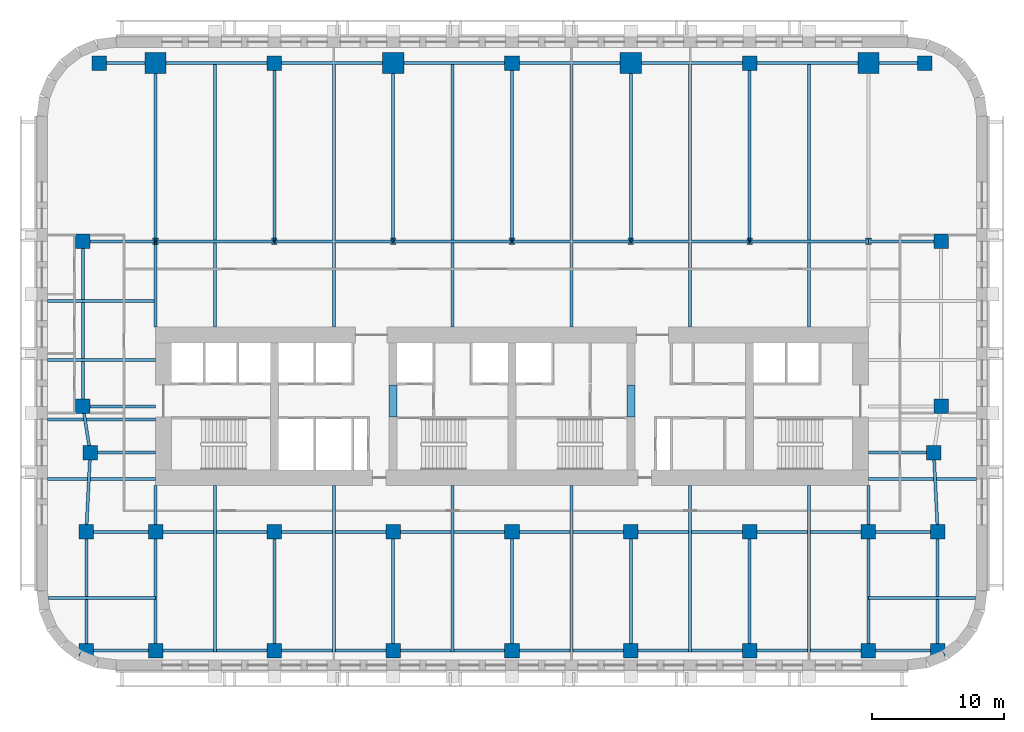
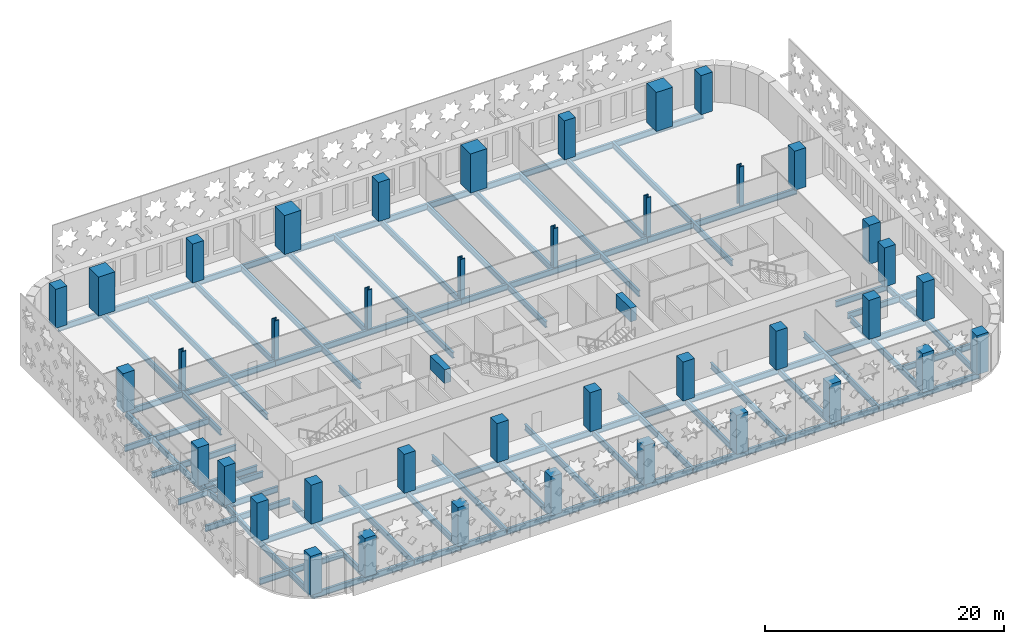
# One storey, part 1 of 14: 60 beams, 40 columns.
"""IFC4 building model written with IfcOpenShell, lengths in metres."""

from ifc_helpers import new_model, si_unit, direction, frame, origin, origin_2d, place, context, subcontext, project, spatial, rectangle, i_section, extrude, material, material_profile, profile_set, type_object, element, save


model = new_model("IFC4")

# Units and contexts
model_context = context("Model", 3, precision=1e-05, world=origin(), true_north=direction((0.0, 1.0)))
body_context = subcontext(model_context, "Body", "Model", "MODEL_VIEW")
ifc_project = project(units=[si_unit("LENGTHUNIT", "METRE"), si_unit("AREAUNIT", "SQUARE_METRE"), si_unit("VOLUMEUNIT", "CUBIC_METRE"), si_unit("PLANEANGLEUNIT", "RADIAN"), si_unit("MASSUNIT", "GRAM", prefix="KILO")], contexts=[model_context])

# Site, building, storey
site_placement = place(None, origin())
site = spatial("IfcSite", under=ifc_project, at=site_placement, CompositionType="ELEMENT")
building_placement = place(site_placement, origin())
building = spatial("IfcBuilding", under=site, at=building_placement, Name="Zellij Exchange Tower", CompositionType="ELEMENT")
storey_placement = place(building_placement, frame((0.0, 0.0, 68.5)))
storey = spatial("IfcBuildingStorey", under=building, at=storey_placement, Name="L13", CompositionType="ELEMENT", Elevation=68.5)

# Columns
ifc_material_1 = material(Name="Concrete C70/85", Category="concrete")
ifc_material_profile_1 = material_profile(ifc_material_1, rectangle(XDim=1.10009765625, YDim=1.10009765625, at=origin_2d()), Name="STR-COLUMN RC1100x1100 C70/85")
ifc_profile_set_1 = profile_set([ifc_material_profile_1], Name="Concrete C70/85")
column_type_1 = type_object("IfcColumnType", Name="STR-COLUMN RC1100x1100 C70/85", PredefinedType="COLUMN", material=ifc_profile_set_1)
for number, where, z_axis, x_axis, name in (
    (1, (-32.25, -26.5, 0.0), (0.0, 0.0, 1.0), (1.0, 0.0, 0.0), "C11"),
    (2, (-27.0, -26.5, 0.0), (0.0, 0.0, 1.0), (1.0, 0.0, 0.0), "C11"),
    (3, (-18.0, -26.5, 0.0), (0.0, 0.0, 1.0), (1.0, 0.0, 0.0), "C11"),
    (4, (-9.0, -26.5, 0.0), (0.0, 0.0, 1.0), (1.0, 0.0, 0.0), "C11"),
    (5, (0.0, -26.5, 0.0), (0.0, 0.0, 1.0), (1.0, 0.0, 0.0), "C11"),
    (6, (9.0, -26.5, 0.0), (0.0, 0.0, 1.0), (1.0, 0.0, 0.0), "C11"),
    (7, (18.0, -26.5, 0.0), (0.0, 0.0, 1.0), (1.0, 0.0, 0.0), "C11"),
    (8, (27.0, -26.5, 0.0), (0.0, 0.0, 1.0), (1.0, 0.0, 0.0), "C11"),
    (9, (32.25, -26.5, 0.0), (0.0, 0.0, 1.0), (1.0, 0.0, 0.0), "C11"),
    (10, (-32.25, -17.5, 0.0), (0.0, 0.0, 1.0), (1.0, 0.0, 0.0), "C11"),
    (11, (-27.0, -17.5, 0.0), (0.0, 0.0, 1.0), (1.0, 0.0, 0.0), "C11"),
    (12, (-18.0, -17.5, 0.0), (0.0, 0.0, 1.0), (1.0, 0.0, 0.0), "C11"),
    (13, (-9.0, -17.5, 0.0), (0.0, 0.0, 1.0), (1.0, 0.0, 0.0), "C11"),
    (14, (0.0, -17.5, 0.0), (0.0, 0.0, 1.0), (1.0, 0.0, 0.0), "C11"),
    (15, (9.0, -17.5, 0.0), (0.0, 0.0, 1.0), (1.0, 0.0, 0.0), "C11"),
    (16, (18.0, -17.5, 0.0), (0.0, 0.0, 1.0), (1.0, 0.0, 0.0), "C11"),
    (17, (27.0, -17.5, 0.0), (0.0, 0.0, 1.0), (1.0, 0.0, 0.0), "C11"),
    (18, (32.25, -17.5, 0.0), (0.0, 0.0, 1.0), (1.0, 0.0, 0.0), "C11"),
    (19, (-31.949951171875, -11.5, 0.0), (0.0, 0.0, 1.0), (1.0, 0.0, 0.0), "C11"),
    (20, (31.949951171875, -11.5, 0.0), (0.0, 0.0, 1.0), (1.0, 0.0, 0.0), "C11"),
    (21, (-32.5, -8.0, 0.0), (0.0, 0.0, 1.0), (1.0, 0.0, 0.0), "C11"),
    (22, (32.5, -8.0, 0.0), (0.0, 0.0, 1.0), (1.0, 0.0, 0.0), "C11"),
    (23, (-32.5, 4.5, 0.0), (0.0, 0.0, 1.0), (1.0, 0.0, 0.0), "C11"),
    (24, (32.5, 4.5, 0.0), (0.0, 0.0, 1.0), (1.0, 0.0, 0.0), "C11"),
    (25, (-31.25, 18.0, 0.0), (0.0, 0.0, 1.0), (1.0, 0.0, 0.0), "C11"),
    (26, (-18.0, 18.0, 0.0), (0.0, 0.0, 1.0), (1.0, 0.0, 0.0), "C11"),
    (27, (0.0, 18.0, 0.0), (0.0, 0.0, 1.0), (1.0, 0.0, 0.0), "C11"),
    (28, (18.0, 18.0, 0.0), (0.0, 0.0, 1.0), (1.0, 0.0, 0.0), "C11"),
    (29, (31.25, 18.0, 0.0), (0.0, 0.0, 1.0), (1.0, 0.0, 0.0), "C11"),
):
    element("IfcColumn", number, at=place(storey_placement, frame(where, z_axis=z_axis, x_axis=x_axis)), inside=storey, type_object=column_type_1, Name=name, PredefinedType="COLUMN", context=body_context, shape_type="SweptSolid", body=[
        extrude(rectangle(XDim=1.10009765625, YDim=1.10009765625, at=origin_2d()), origin(), (0.0, 0.0, 1.0), 4.0),
    ])
ifc_material_2 = material(Name="Structural steel ASTM A913 Gr 65", Category="steel")
ifc_material_profile_2 = material_profile(ifc_material_2, i_section(OverallWidth=0.431884765625, OverallDepth=0.497802734375, WebThickness=0.0556640625, FlangeThickness=0.0888671875, at=origin_2d()), Name="W14x500")
ifc_profile_set_2 = profile_set([ifc_material_profile_2], Name="Structural steel ASTM A913 Gr 65")
column_type_2 = type_object("IfcColumnType", Name="STR-COLUMN W14x500", PredefinedType="COLUMN", material=ifc_profile_set_2)
for number, where, z_axis, x_axis, name in (
    (30, (-27.0, 4.5, 0.0), (0.0, 0.0, 1.0), (1.0, 0.0, 0.0), "C5"),
    (31, (-18.0, 4.5, 0.0), (0.0, 0.0, 1.0), (1.0, 0.0, 0.0), "C5"),
    (32, (-9.0, 4.5, 0.0), (0.0, 0.0, 1.0), (1.0, 0.0, 0.0), "C5"),
    (33, (0.0, 4.5, 0.0), (0.0, 0.0, 1.0), (1.0, 0.0, 0.0), "C5"),
    (34, (9.0, 4.5, 0.0), (0.0, 0.0, 1.0), (1.0, 0.0, 0.0), "C5"),
    (35, (18.0, 4.5, 0.0), (0.0, 0.0, 1.0), (1.0, 0.0, 0.0), "C5"),
    (36, (27.0, 4.5, 0.0), (0.0, 0.0, 1.0), (1.0, 0.0, 0.0), "C5"),
):
    element("IfcColumn", number, at=place(storey_placement, frame(where, z_axis=z_axis, x_axis=x_axis)), inside=storey, type_object=column_type_2, Name=name, PredefinedType="COLUMN", context=body_context, shape_type="SweptSolid", body=[
        extrude(i_section(OverallWidth=0.431884765625, OverallDepth=0.497802734375, WebThickness=0.0556640625, FlangeThickness=0.0888671875, at=origin_2d()), origin(), (0.0, 0.0, 1.0), 4.0),
    ])
ifc_material_profile_3 = material_profile(ifc_material_1, rectangle(XDim=1.60009765625, YDim=1.60009765625, at=origin_2d()), Name="STR-MEGA COLUMN RC1600x1600 C70/85")
ifc_profile_set_3 = profile_set([ifc_material_profile_3], Name="Concrete C70/85")
column_type_3 = type_object("IfcColumnType", Name="STR-MEGA COLUMN RC1600x1600 C70/85", PredefinedType="COLUMN", material=ifc_profile_set_3)
for number, where, z_axis, x_axis, name in (
    (37, (-27.0, 18.0, 0.0), (0.0, 0.0, 1.0), (1.0, 0.0, 0.0), "MC6"),
    (38, (-9.0, 18.0, 0.0), (0.0, 0.0, 1.0), (1.0, 0.0, 0.0), "MC6"),
    (39, (9.0, 18.0, 0.0), (0.0, 0.0, 1.0), (1.0, 0.0, 0.0), "MC6"),
    (40, (27.0, 18.0, 0.0), (0.0, 0.0, 1.0), (1.0, 0.0, 0.0), "MC6"),
):
    element("IfcColumn", number, at=place(storey_placement, frame(where, z_axis=z_axis, x_axis=x_axis)), inside=storey, type_object=column_type_3, Name=name, PredefinedType="COLUMN", context=body_context, shape_type="SweptSolid", body=[
        extrude(rectangle(XDim=1.60009765625, YDim=1.60009765625, at=origin_2d()), origin(), (0.0, 0.0, 1.0), 4.0),
    ])

# Beams
ifc_material_profile_4 = material_profile(ifc_material_1, rectangle(XDim=0.60009765625, YDim=1.39990234375, at=origin_2d()), Name="CORE-CB 600x1400 C70/85")
ifc_profile_set_4 = profile_set([ifc_material_profile_4], Name="Concrete C70/85")
beam_type_1 = type_object("IfcBeamType", Name="CORE-CB 600x1400 C70/85", PredefinedType="BEAM", material=ifc_profile_set_4)
for number, where, z_axis, x_axis, name in (
    (41, (-9.0, -8.800048828125, 3.10009765625), (0.0, 1.0, 0.0), (-1.0, 0.0, 0.0), "Core coupling beam x -9 L13"),
    (42, (9.0, -8.800048828125, 3.10009765625), (0.0, 1.0, 0.0), (-1.0, 0.0, 0.0), "Core coupling beam x 9 L13"),
):
    element("IfcBeam", number, at=place(storey_placement, frame(where, z_axis=z_axis, x_axis=x_axis)), inside=storey, type_object=beam_type_1, Name=name, PredefinedType="BEAM", context=body_context, shape_type="SweptSolid", body=[
        extrude(rectangle(XDim=0.60009765625, YDim=1.39990234375, at=origin_2d()), origin(), (0.0, 0.0, 1.0), 2.425048828125),
    ])
ifc_material_3 = material(Name="Structural steel ASTM A992 Gr 50", Category="steel")
ifc_material_profile_5 = material_profile(ifc_material_3, i_section(OverallWidth=0.227783203125, OverallDepth=0.60205078125, WebThickness=0.010498046875, FlangeThickness=0.014892578125, at=origin_2d()), Name="W24x68")
ifc_profile_set_5 = profile_set([ifc_material_profile_5], Name="Structural steel ASTM A992 Gr 50")
beam_type_2 = type_object("IfcBeamType", Name="STR-BEAM W24x68", PredefinedType="BEAM", material=ifc_profile_set_5)
beam_1_placement = place(storey_placement, frame((-22.5, -26.614501953125, -0.5009765625), z_axis=(0.0, 1.0, 0.0), x_axis=(-1.0, 0.0, 0.0)))
element("IfcBeam", 43, at=beam_1_placement, inside=storey, type_object=beam_type_2, Name="B5", PredefinedType="BEAM", context=body_context, shape_type="SweptSolid", body=[
    extrude(i_section(OverallWidth=0.227783203125, OverallDepth=0.60205078125, WebThickness=0.010498046875, FlangeThickness=0.014892578125, at=origin_2d()), origin(), (0.0, 0.0, 1.0), 12.614501953125),
])
beam_2_placement = place(storey_placement, frame((-22.5, -2.0, -0.5009765625), z_axis=(0.0, 1.0, 0.0), x_axis=(-1.0, 0.0, 0.0)))
element("IfcBeam", 44, at=beam_2_placement, inside=storey, type_object=beam_type_2, Name="B5", PredefinedType="BEAM", context=body_context, shape_type="SweptSolid", body=[
    extrude(i_section(OverallWidth=0.227783203125, OverallDepth=0.60205078125, WebThickness=0.010498046875, FlangeThickness=0.014892578125, at=origin_2d()), origin(), (0.0, 0.0, 1.0), 20.114501953125),
])
beam_3_placement = place(storey_placement, frame((-13.5, -26.614501953125, -0.5009765625), z_axis=(0.0, 1.0, 0.0), x_axis=(-1.0, 0.0, 0.0)))
element("IfcBeam", 45, at=beam_3_placement, inside=storey, type_object=beam_type_2, Name="B5", PredefinedType="BEAM", context=body_context, shape_type="SweptSolid", body=[
    extrude(i_section(OverallWidth=0.227783203125, OverallDepth=0.60205078125, WebThickness=0.010498046875, FlangeThickness=0.014892578125, at=origin_2d()), origin(), (0.0, 0.0, 1.0), 12.614501953125),
])
beam_4_placement = place(storey_placement, frame((-13.5, -2.0, -0.5009765625), z_axis=(0.0, 1.0, 0.0), x_axis=(-1.0, 0.0, 0.0)))
element("IfcBeam", 46, at=beam_4_placement, inside=storey, type_object=beam_type_2, Name="B5", PredefinedType="BEAM", context=body_context, shape_type="SweptSolid", body=[
    extrude(i_section(OverallWidth=0.227783203125, OverallDepth=0.60205078125, WebThickness=0.010498046875, FlangeThickness=0.014892578125, at=origin_2d()), origin(), (0.0, 0.0, 1.0), 20.114501953125),
])
beam_5_placement = place(storey_placement, frame((-4.5, -26.614501953125, -0.5009765625), z_axis=(0.0, 1.0, 0.0), x_axis=(-1.0, 0.0, 0.0)))
element("IfcBeam", 47, at=beam_5_placement, inside=storey, type_object=beam_type_2, Name="B5", PredefinedType="BEAM", context=body_context, shape_type="SweptSolid", body=[
    extrude(i_section(OverallWidth=0.227783203125, OverallDepth=0.60205078125, WebThickness=0.010498046875, FlangeThickness=0.014892578125, at=origin_2d()), origin(), (0.0, 0.0, 1.0), 12.614501953125),
])
beam_6_placement = place(storey_placement, frame((-4.5, -2.0, -0.5009765625), z_axis=(0.0, 1.0, 0.0), x_axis=(-1.0, 0.0, 0.0)))
element("IfcBeam", 48, at=beam_6_placement, inside=storey, type_object=beam_type_2, Name="B5", PredefinedType="BEAM", context=body_context, shape_type="SweptSolid", body=[
    extrude(i_section(OverallWidth=0.227783203125, OverallDepth=0.60205078125, WebThickness=0.010498046875, FlangeThickness=0.014892578125, at=origin_2d()), origin(), (0.0, 0.0, 1.0), 20.114501953125),
])
beam_7_placement = place(storey_placement, frame((4.5, -26.614501953125, -0.5009765625), z_axis=(0.0, 1.0, 0.0), x_axis=(-1.0, 0.0, 0.0)))
element("IfcBeam", 49, at=beam_7_placement, inside=storey, type_object=beam_type_2, Name="B5", PredefinedType="BEAM", context=body_context, shape_type="SweptSolid", body=[
    extrude(i_section(OverallWidth=0.227783203125, OverallDepth=0.60205078125, WebThickness=0.010498046875, FlangeThickness=0.014892578125, at=origin_2d()), origin(), (0.0, 0.0, 1.0), 12.614501953125),
])
beam_8_placement = place(storey_placement, frame((4.5, -2.0, -0.5009765625), z_axis=(0.0, 1.0, 0.0), x_axis=(-1.0, 0.0, 0.0)))
element("IfcBeam", 50, at=beam_8_placement, inside=storey, type_object=beam_type_2, Name="B5", PredefinedType="BEAM", context=body_context, shape_type="SweptSolid", body=[
    extrude(i_section(OverallWidth=0.227783203125, OverallDepth=0.60205078125, WebThickness=0.010498046875, FlangeThickness=0.014892578125, at=origin_2d()), origin(), (0.0, 0.0, 1.0), 20.114501953125),
])
beam_9_placement = place(storey_placement, frame((13.5, -26.614501953125, -0.5009765625), z_axis=(0.0, 1.0, 0.0), x_axis=(-1.0, 0.0, 0.0)))
element("IfcBeam", 51, at=beam_9_placement, inside=storey, type_object=beam_type_2, Name="B5", PredefinedType="BEAM", context=body_context, shape_type="SweptSolid", body=[
    extrude(i_section(OverallWidth=0.227783203125, OverallDepth=0.60205078125, WebThickness=0.010498046875, FlangeThickness=0.014892578125, at=origin_2d()), origin(), (0.0, 0.0, 1.0), 12.614501953125),
])
beam_10_placement = place(storey_placement, frame((13.5, -2.0, -0.5009765625), z_axis=(0.0, 1.0, 0.0), x_axis=(-1.0, 0.0, 0.0)))
element("IfcBeam", 52, at=beam_10_placement, inside=storey, type_object=beam_type_2, Name="B5", PredefinedType="BEAM", context=body_context, shape_type="SweptSolid", body=[
    extrude(i_section(OverallWidth=0.227783203125, OverallDepth=0.60205078125, WebThickness=0.010498046875, FlangeThickness=0.014892578125, at=origin_2d()), origin(), (0.0, 0.0, 1.0), 20.114501953125),
])
beam_11_placement = place(storey_placement, frame((22.5, -26.614501953125, -0.5009765625), z_axis=(0.0, 1.0, 0.0), x_axis=(-1.0, 0.0, 0.0)))
element("IfcBeam", 53, at=beam_11_placement, inside=storey, type_object=beam_type_2, Name="B5", PredefinedType="BEAM", context=body_context, shape_type="SweptSolid", body=[
    extrude(i_section(OverallWidth=0.227783203125, OverallDepth=0.60205078125, WebThickness=0.010498046875, FlangeThickness=0.014892578125, at=origin_2d()), origin(), (0.0, 0.0, 1.0), 12.614501953125),
])
beam_12_placement = place(storey_placement, frame((22.5, -2.0, -0.5009765625), z_axis=(0.0, 1.0, 0.0), x_axis=(-1.0, 0.0, 0.0)))
element("IfcBeam", 54, at=beam_12_placement, inside=storey, type_object=beam_type_2, Name="B5", PredefinedType="BEAM", context=body_context, shape_type="SweptSolid", body=[
    extrude(i_section(OverallWidth=0.227783203125, OverallDepth=0.60205078125, WebThickness=0.010498046875, FlangeThickness=0.014892578125, at=origin_2d()), origin(), (0.0, 0.0, 1.0), 20.114501953125),
])
beam_13_placement = place(storey_placement, frame((-35.126953125, -22.5, -0.5009765625), z_axis=(1.0, 0.0, 0.0), x_axis=(0.0, 1.0, 0.0)))
element("IfcBeam", 55, at=beam_13_placement, inside=storey, type_object=beam_type_2, Name="B5", PredefinedType="BEAM", context=body_context, shape_type="SweptSolid", body=[
    extrude(i_section(OverallWidth=0.227783203125, OverallDepth=0.60205078125, WebThickness=0.010498046875, FlangeThickness=0.014892578125, at=origin_2d()), origin(), (0.0, 0.0, 1.0), 8.126953125),
])
for number, where, z_axis, x_axis, name in (
    (56, (-35.199951171875, -13.5, -0.5009765625), (1.0, 0.0, 0.0), (0.0, 1.0, 0.0), "B5"),
    (57, (-35.199951171875, -9.0, -0.5009765625), (1.0, 0.0, 0.0), (0.0, 1.0, 0.0), "B5"),
    (58, (-35.199951171875, -4.5, -0.5009765625), (1.0, 0.0, 0.0), (0.0, 1.0, 0.0), "B5"),
    (59, (-35.199951171875, 0.0, -0.5009765625), (1.0, 0.0, 0.0), (0.0, 1.0, 0.0), "B5"),
):
    element("IfcBeam", number, at=place(storey_placement, frame(where, z_axis=z_axis, x_axis=x_axis)), inside=storey, type_object=beam_type_2, Name=name, PredefinedType="BEAM", context=body_context, shape_type="SweptSolid", body=[
        extrude(i_section(OverallWidth=0.227783203125, OverallDepth=0.60205078125, WebThickness=0.010498046875, FlangeThickness=0.014892578125, at=origin_2d()), origin(), (0.0, 0.0, 1.0), 8.199951171875),
    ])
beam_14_placement = place(storey_placement, frame((27.0, -22.5, -0.5009765625), z_axis=(1.0, 0.0, 0.0), x_axis=(0.0, 1.0, 0.0)))
element("IfcBeam", 60, at=beam_14_placement, inside=storey, type_object=beam_type_2, Name="B5", PredefinedType="BEAM", context=body_context, shape_type="SweptSolid", body=[
    extrude(i_section(OverallWidth=0.227783203125, OverallDepth=0.60205078125, WebThickness=0.010498046875, FlangeThickness=0.014892578125, at=origin_2d()), origin(), (0.0, 0.0, 1.0), 8.126953125),
])
beam_15_placement = place(storey_placement, frame((27.0, -13.5, -0.5009765625), z_axis=(1.0, 0.0, 0.0), x_axis=(0.0, 1.0, 0.0)))
element("IfcBeam", 61, at=beam_15_placement, inside=storey, type_object=beam_type_2, Name="B5", PredefinedType="BEAM", context=body_context, shape_type="SweptSolid", body=[
    extrude(i_section(OverallWidth=0.227783203125, OverallDepth=0.60205078125, WebThickness=0.010498046875, FlangeThickness=0.014892578125, at=origin_2d()), origin(), (0.0, 0.0, 1.0), 8.199951171875),
])
ifc_material_profile_6 = material_profile(ifc_material_3, i_section(OverallWidth=0.22900390625, OverallDepth=0.612060546875, WebThickness=0.011962890625, FlangeThickness=0.01953125, at=origin_2d()), Name="W24x84")
ifc_profile_set_6 = profile_set([ifc_material_profile_6], Name="Structural steel ASTM A992 Gr 50")
beam_type_3 = type_object("IfcBeamType", Name="STR-EDGE GIRDER W24x84", PredefinedType="BEAM", material=ifc_profile_set_6)
beam_16_placement = place(storey_placement, frame((-32.25, -26.5, -0.506103515625), z_axis=(0.0, 1.0, 0.0), x_axis=(-1.0, 0.0, 0.0)))
element("IfcBeam", 62, at=beam_16_placement, inside=storey, type_object=beam_type_3, Name="EB6", PredefinedType="BEAM", context=body_context, shape_type="SweptSolid", body=[
    extrude(i_section(OverallWidth=0.22900390625, OverallDepth=0.612060546875, WebThickness=0.011962890625, FlangeThickness=0.01953125, at=origin_2d()), origin(), (0.0, 0.0, 1.0), 9.0),
])
beam_17_placement = place(storey_placement, frame((-32.25, -17.5, -0.506103515625), z_axis=(0.049945724537, 0.998751933465, 0.0), x_axis=(-0.998751933465, 0.049945724537, 0.0)))
element("IfcBeam", 63, at=beam_17_placement, inside=storey, type_object=beam_type_3, Name="EB6", PredefinedType="BEAM", context=body_context, shape_type="SweptSolid", body=[
    extrude(i_section(OverallWidth=0.22900390625, OverallDepth=0.612060546875, WebThickness=0.011962890625, FlangeThickness=0.01953125, at=origin_2d()), origin(), (0.0, 0.0, 1.0), 6.007568359375),
])
beam_18_placement = place(storey_placement, frame((-31.949951171875, -11.5, -0.506103515625), z_axis=(-0.155251283593, 0.987875011802, 0.0), x_axis=(-0.987875011802, -0.155251283593, 0.0)))
element("IfcBeam", 64, at=beam_18_placement, inside=storey, type_object=beam_type_3, Name="EB6", PredefinedType="BEAM", context=body_context, shape_type="SweptSolid", body=[
    extrude(i_section(OverallWidth=0.22900390625, OverallDepth=0.612060546875, WebThickness=0.011962890625, FlangeThickness=0.01953125, at=origin_2d()), origin(), (0.0, 0.0, 1.0), 3.54296875),
])
beam_19_placement = place(storey_placement, frame((-32.5, -8.0, -0.506103515625), z_axis=(0.0, 1.0, 0.0), x_axis=(-1.0, 0.0, 0.0)))
element("IfcBeam", 65, at=beam_19_placement, inside=storey, type_object=beam_type_3, Name="EB6", PredefinedType="BEAM", context=body_context, shape_type="SweptSolid", body=[
    extrude(i_section(OverallWidth=0.22900390625, OverallDepth=0.612060546875, WebThickness=0.011962890625, FlangeThickness=0.01953125, at=origin_2d()), origin(), (0.0, 0.0, 1.0), 12.5),
])
beam_20_placement = place(storey_placement, frame((32.25, -26.5, -0.506103515625), z_axis=(0.0, 1.0, 0.0), x_axis=(-1.0, 0.0, 0.0)))
element("IfcBeam", 66, at=beam_20_placement, inside=storey, type_object=beam_type_3, Name="EB6", PredefinedType="BEAM", context=body_context, shape_type="SweptSolid", body=[
    extrude(i_section(OverallWidth=0.22900390625, OverallDepth=0.612060546875, WebThickness=0.011962890625, FlangeThickness=0.01953125, at=origin_2d()), origin(), (0.0, 0.0, 1.0), 9.0),
])
beam_21_placement = place(storey_placement, frame((32.25, -17.5, -0.506103515625), z_axis=(-0.049945724537, 0.998751933465, 0.0), x_axis=(-0.998751933465, -0.049945724537, 0.0)))
element("IfcBeam", 67, at=beam_21_placement, inside=storey, type_object=beam_type_3, Name="EB6", PredefinedType="BEAM", context=body_context, shape_type="SweptSolid", body=[
    extrude(i_section(OverallWidth=0.22900390625, OverallDepth=0.612060546875, WebThickness=0.011962890625, FlangeThickness=0.01953125, at=origin_2d()), origin(), (0.0, 0.0, 1.0), 6.007568359375),
])
ifc_material_profile_7 = material_profile(ifc_material_3, i_section(OverallWidth=0.22900390625, OverallDepth=0.612060546875, WebThickness=0.011962890625, FlangeThickness=0.01953125, at=origin_2d()), Name="W24x84")
ifc_profile_set_7 = profile_set([ifc_material_profile_7], Name="Structural steel ASTM A992 Gr 50")
beam_type_4 = type_object("IfcBeamType", Name="STR-GIRDER W24x84", PredefinedType="BEAM", material=ifc_profile_set_7)
beam_22_placement = place(storey_placement, frame((-32.25, -26.5, -0.506103515625), z_axis=(1.0, 0.0, 0.0), x_axis=(0.0, 1.0, 0.0)))
element("IfcBeam", 68, at=beam_22_placement, inside=storey, type_object=beam_type_4, Name="G4", PredefinedType="BEAM", context=body_context, shape_type="SweptSolid", body=[
    extrude(i_section(OverallWidth=0.22900390625, OverallDepth=0.612060546875, WebThickness=0.011962890625, FlangeThickness=0.01953125, at=origin_2d()), origin(), (0.0, 0.0, 1.0), 14.25),
])
for number, where, z_axis, x_axis, name in (
    (69, (-18.0, -26.5, -0.506103515625), (1.0, 0.0, 0.0), (0.0, 1.0, 0.0), "G4"),
    (70, (0.0, -26.5, -0.506103515625), (1.0, 0.0, 0.0), (0.0, 1.0, 0.0), "G4"),
):
    element("IfcBeam", number, at=place(storey_placement, frame(where, z_axis=z_axis, x_axis=x_axis)), inside=storey, type_object=beam_type_4, Name=name, PredefinedType="BEAM", context=body_context, shape_type="SweptSolid", body=[
        extrude(i_section(OverallWidth=0.22900390625, OverallDepth=0.612060546875, WebThickness=0.011962890625, FlangeThickness=0.01953125, at=origin_2d()), origin(), (0.0, 0.0, 1.0), 18.0),
    ])
for number, where, z_axis, x_axis, name in (
    (71, (18.0, -26.5, -0.506103515625), (1.0, 0.0, 0.0), (0.0, 1.0, 0.0), "G4"),
    (72, (-32.25, -17.5, -0.506103515625), (1.0, 0.0, 0.0), (0.0, 1.0, 0.0), "G4"),
):
    element("IfcBeam", number, at=place(storey_placement, frame(where, z_axis=z_axis, x_axis=x_axis)), inside=storey, type_object=beam_type_4, Name=name, PredefinedType="BEAM", context=body_context, shape_type="SweptSolid", body=[
        extrude(i_section(OverallWidth=0.22900390625, OverallDepth=0.612060546875, WebThickness=0.011962890625, FlangeThickness=0.01953125, at=origin_2d()), origin(), (0.0, 0.0, 1.0), 14.25),
    ])
for number, where, z_axis, x_axis, name in (
    (73, (-18.0, -17.5, -0.506103515625), (1.0, 0.0, 0.0), (0.0, 1.0, 0.0), "G4"),
    (74, (0.0, -17.5, -0.506103515625), (1.0, 0.0, 0.0), (0.0, 1.0, 0.0), "G4"),
):
    element("IfcBeam", number, at=place(storey_placement, frame(where, z_axis=z_axis, x_axis=x_axis)), inside=storey, type_object=beam_type_4, Name=name, PredefinedType="BEAM", context=body_context, shape_type="SweptSolid", body=[
        extrude(i_section(OverallWidth=0.22900390625, OverallDepth=0.612060546875, WebThickness=0.011962890625, FlangeThickness=0.01953125, at=origin_2d()), origin(), (0.0, 0.0, 1.0), 18.0),
    ])
beam_23_placement = place(storey_placement, frame((18.0, -17.5, -0.506103515625), z_axis=(1.0, 0.0, 0.0), x_axis=(0.0, 1.0, 0.0)))
element("IfcBeam", 75, at=beam_23_placement, inside=storey, type_object=beam_type_4, Name="G4", PredefinedType="BEAM", context=body_context, shape_type="SweptSolid", body=[
    extrude(i_section(OverallWidth=0.22900390625, OverallDepth=0.612060546875, WebThickness=0.011962890625, FlangeThickness=0.01953125, at=origin_2d()), origin(), (0.0, 0.0, 1.0), 14.25),
])
for number, where, z_axis, x_axis, name in (
    (76, (-31.949951171875, -11.5, -0.506103515625), (1.0, 0.0, 0.0), (0.0, 1.0, 0.0), "G4"),
    (77, (27.0, -11.5, -0.506103515625), (1.0, 0.0, 0.0), (0.0, 1.0, 0.0), "G4"),
):
    element("IfcBeam", number, at=place(storey_placement, frame(where, z_axis=z_axis, x_axis=x_axis)), inside=storey, type_object=beam_type_4, Name=name, PredefinedType="BEAM", context=body_context, shape_type="SweptSolid", body=[
        extrude(i_section(OverallWidth=0.22900390625, OverallDepth=0.612060546875, WebThickness=0.011962890625, FlangeThickness=0.01953125, at=origin_2d()), origin(), (0.0, 0.0, 1.0), 4.949951171875),
    ])
beam_24_placement = place(storey_placement, frame((-32.5, -8.0, -0.506103515625), z_axis=(1.0, 0.0, 0.0), x_axis=(0.0, 1.0, 0.0)))
element("IfcBeam", 78, at=beam_24_placement, inside=storey, type_object=beam_type_4, Name="G4", PredefinedType="BEAM", context=body_context, shape_type="SweptSolid", body=[
    extrude(i_section(OverallWidth=0.22900390625, OverallDepth=0.612060546875, WebThickness=0.011962890625, FlangeThickness=0.01953125, at=origin_2d()), origin(), (0.0, 0.0, 1.0), 5.5),
])
beam_25_placement = place(storey_placement, frame((-32.5, 4.5, -0.506103515625), z_axis=(1.0, 0.0, 0.0), x_axis=(0.0, 1.0, 0.0)))
element("IfcBeam", 79, at=beam_25_placement, inside=storey, type_object=beam_type_4, Name="G4", PredefinedType="BEAM", context=body_context, shape_type="SweptSolid", body=[
    extrude(i_section(OverallWidth=0.22900390625, OverallDepth=0.612060546875, WebThickness=0.011962890625, FlangeThickness=0.01953125, at=origin_2d()), origin(), (0.0, 0.0, 1.0), 14.5),
])
for number, where, z_axis, x_axis, name in (
    (80, (-18.0, 4.5, -0.506103515625), (1.0, 0.0, 0.0), (0.0, 1.0, 0.0), "G4"),
    (81, (0.0, 4.5, -0.506103515625), (1.0, 0.0, 0.0), (0.0, 1.0, 0.0), "G4"),
):
    element("IfcBeam", number, at=place(storey_placement, frame(where, z_axis=z_axis, x_axis=x_axis)), inside=storey, type_object=beam_type_4, Name=name, PredefinedType="BEAM", context=body_context, shape_type="SweptSolid", body=[
        extrude(i_section(OverallWidth=0.22900390625, OverallDepth=0.612060546875, WebThickness=0.011962890625, FlangeThickness=0.01953125, at=origin_2d()), origin(), (0.0, 0.0, 1.0), 18.0),
    ])
beam_26_placement = place(storey_placement, frame((18.0, 4.5, -0.506103515625), z_axis=(1.0, 0.0, 0.0), x_axis=(0.0, 1.0, 0.0)))
element("IfcBeam", 82, at=beam_26_placement, inside=storey, type_object=beam_type_4, Name="G4", PredefinedType="BEAM", context=body_context, shape_type="SweptSolid", body=[
    extrude(i_section(OverallWidth=0.22900390625, OverallDepth=0.612060546875, WebThickness=0.011962890625, FlangeThickness=0.01953125, at=origin_2d()), origin(), (0.0, 0.0, 1.0), 14.5),
])
beam_27_placement = place(storey_placement, frame((-31.25, 18.0, -0.506103515625), z_axis=(1.0, 0.0, 0.0), x_axis=(0.0, 1.0, 0.0)))
element("IfcBeam", 83, at=beam_27_placement, inside=storey, type_object=beam_type_4, Name="G4", PredefinedType="BEAM", context=body_context, shape_type="SweptSolid", body=[
    extrude(i_section(OverallWidth=0.22900390625, OverallDepth=0.612060546875, WebThickness=0.011962890625, FlangeThickness=0.01953125, at=origin_2d()), origin(), (0.0, 0.0, 1.0), 13.25),
])
for number, where, z_axis, x_axis, name in (
    (84, (-18.0, 18.0, -0.506103515625), (1.0, 0.0, 0.0), (0.0, 1.0, 0.0), "G4"),
    (85, (0.0, 18.0, -0.506103515625), (1.0, 0.0, 0.0), (0.0, 1.0, 0.0), "G4"),
):
    element("IfcBeam", number, at=place(storey_placement, frame(where, z_axis=z_axis, x_axis=x_axis)), inside=storey, type_object=beam_type_4, Name=name, PredefinedType="BEAM", context=body_context, shape_type="SweptSolid", body=[
        extrude(i_section(OverallWidth=0.22900390625, OverallDepth=0.612060546875, WebThickness=0.011962890625, FlangeThickness=0.01953125, at=origin_2d()), origin(), (0.0, 0.0, 1.0), 18.0),
    ])
beam_28_placement = place(storey_placement, frame((18.0, 18.0, -0.506103515625), z_axis=(1.0, 0.0, 0.0), x_axis=(0.0, 1.0, 0.0)))
element("IfcBeam", 86, at=beam_28_placement, inside=storey, type_object=beam_type_4, Name="G4", PredefinedType="BEAM", context=body_context, shape_type="SweptSolid", body=[
    extrude(i_section(OverallWidth=0.22900390625, OverallDepth=0.612060546875, WebThickness=0.011962890625, FlangeThickness=0.01953125, at=origin_2d()), origin(), (0.0, 0.0, 1.0), 13.25),
])
beam_29_placement = place(storey_placement, frame((-27.0, -26.5, -0.506103515625), z_axis=(0.0, 1.0, 0.0), x_axis=(-1.0, 0.0, 0.0)))
element("IfcBeam", 87, at=beam_29_placement, inside=storey, type_object=beam_type_4, Name="G4", PredefinedType="BEAM", context=body_context, shape_type="SweptSolid", body=[
    extrude(i_section(OverallWidth=0.22900390625, OverallDepth=0.612060546875, WebThickness=0.011962890625, FlangeThickness=0.01953125, at=origin_2d()), origin(), (0.0, 0.0, 1.0), 12.5),
])
beam_30_placement = place(storey_placement, frame((-27.0, -2.0, -0.506103515625), z_axis=(0.0, 1.0, 0.0), x_axis=(-1.0, 0.0, 0.0)))
element("IfcBeam", 88, at=beam_30_placement, inside=storey, type_object=beam_type_4, Name="G4", PredefinedType="BEAM", context=body_context, shape_type="SweptSolid", body=[
    extrude(i_section(OverallWidth=0.22900390625, OverallDepth=0.612060546875, WebThickness=0.011962890625, FlangeThickness=0.01953125, at=origin_2d()), origin(), (0.0, 0.0, 1.0), 6.5),
])
beam_31_placement = place(storey_placement, frame((-27.0, 4.5, -0.506103515625), z_axis=(0.0, 1.0, 0.0), x_axis=(-1.0, 0.0, 0.0)))
element("IfcBeam", 89, at=beam_31_placement, inside=storey, type_object=beam_type_4, Name="G4", PredefinedType="BEAM", context=body_context, shape_type="SweptSolid", body=[
    extrude(i_section(OverallWidth=0.22900390625, OverallDepth=0.612060546875, WebThickness=0.011962890625, FlangeThickness=0.01953125, at=origin_2d()), origin(), (0.0, 0.0, 1.0), 13.5),
])
beam_32_placement = place(storey_placement, frame((-18.0, -26.5, -0.506103515625), z_axis=(0.0, 1.0, 0.0), x_axis=(-1.0, 0.0, 0.0)))
element("IfcBeam", 90, at=beam_32_placement, inside=storey, type_object=beam_type_4, Name="G4", PredefinedType="BEAM", context=body_context, shape_type="SweptSolid", body=[
    extrude(i_section(OverallWidth=0.22900390625, OverallDepth=0.612060546875, WebThickness=0.011962890625, FlangeThickness=0.01953125, at=origin_2d()), origin(), (0.0, 0.0, 1.0), 9.0),
])
beam_33_placement = place(storey_placement, frame((-18.0, 4.5, -0.506103515625), z_axis=(0.0, 1.0, 0.0), x_axis=(-1.0, 0.0, 0.0)))
element("IfcBeam", 91, at=beam_33_placement, inside=storey, type_object=beam_type_4, Name="G4", PredefinedType="BEAM", context=body_context, shape_type="SweptSolid", body=[
    extrude(i_section(OverallWidth=0.22900390625, OverallDepth=0.612060546875, WebThickness=0.011962890625, FlangeThickness=0.01953125, at=origin_2d()), origin(), (0.0, 0.0, 1.0), 13.5),
])
beam_34_placement = place(storey_placement, frame((-9.0, -26.5, -0.506103515625), z_axis=(0.0, 1.0, 0.0), x_axis=(-1.0, 0.0, 0.0)))
element("IfcBeam", 92, at=beam_34_placement, inside=storey, type_object=beam_type_4, Name="G4", PredefinedType="BEAM", context=body_context, shape_type="SweptSolid", body=[
    extrude(i_section(OverallWidth=0.22900390625, OverallDepth=0.612060546875, WebThickness=0.011962890625, FlangeThickness=0.01953125, at=origin_2d()), origin(), (0.0, 0.0, 1.0), 9.0),
])
beam_35_placement = place(storey_placement, frame((-9.0, 4.5, -0.506103515625), z_axis=(0.0, 1.0, 0.0), x_axis=(-1.0, 0.0, 0.0)))
element("IfcBeam", 93, at=beam_35_placement, inside=storey, type_object=beam_type_4, Name="G4", PredefinedType="BEAM", context=body_context, shape_type="SweptSolid", body=[
    extrude(i_section(OverallWidth=0.22900390625, OverallDepth=0.612060546875, WebThickness=0.011962890625, FlangeThickness=0.01953125, at=origin_2d()), origin(), (0.0, 0.0, 1.0), 13.5),
])
beam_36_placement = place(storey_placement, frame((0.0, -26.5, -0.506103515625), z_axis=(0.0, 1.0, 0.0), x_axis=(-1.0, 0.0, 0.0)))
element("IfcBeam", 94, at=beam_36_placement, inside=storey, type_object=beam_type_4, Name="G4", PredefinedType="BEAM", context=body_context, shape_type="SweptSolid", body=[
    extrude(i_section(OverallWidth=0.22900390625, OverallDepth=0.612060546875, WebThickness=0.011962890625, FlangeThickness=0.01953125, at=origin_2d()), origin(), (0.0, 0.0, 1.0), 9.0),
])
beam_37_placement = place(storey_placement, frame((0.0, 4.5, -0.506103515625), z_axis=(0.0, 1.0, 0.0), x_axis=(-1.0, 0.0, 0.0)))
element("IfcBeam", 95, at=beam_37_placement, inside=storey, type_object=beam_type_4, Name="G4", PredefinedType="BEAM", context=body_context, shape_type="SweptSolid", body=[
    extrude(i_section(OverallWidth=0.22900390625, OverallDepth=0.612060546875, WebThickness=0.011962890625, FlangeThickness=0.01953125, at=origin_2d()), origin(), (0.0, 0.0, 1.0), 13.5),
])
beam_38_placement = place(storey_placement, frame((9.0, -26.5, -0.506103515625), z_axis=(0.0, 1.0, 0.0), x_axis=(-1.0, 0.0, 0.0)))
element("IfcBeam", 96, at=beam_38_placement, inside=storey, type_object=beam_type_4, Name="G4", PredefinedType="BEAM", context=body_context, shape_type="SweptSolid", body=[
    extrude(i_section(OverallWidth=0.22900390625, OverallDepth=0.612060546875, WebThickness=0.011962890625, FlangeThickness=0.01953125, at=origin_2d()), origin(), (0.0, 0.0, 1.0), 9.0),
])
beam_39_placement = place(storey_placement, frame((9.0, 4.5, -0.506103515625), z_axis=(0.0, 1.0, 0.0), x_axis=(-1.0, 0.0, 0.0)))
element("IfcBeam", 97, at=beam_39_placement, inside=storey, type_object=beam_type_4, Name="G4", PredefinedType="BEAM", context=body_context, shape_type="SweptSolid", body=[
    extrude(i_section(OverallWidth=0.22900390625, OverallDepth=0.612060546875, WebThickness=0.011962890625, FlangeThickness=0.01953125, at=origin_2d()), origin(), (0.0, 0.0, 1.0), 13.5),
])
beam_40_placement = place(storey_placement, frame((18.0, -26.5, -0.506103515625), z_axis=(0.0, 1.0, 0.0), x_axis=(-1.0, 0.0, 0.0)))
element("IfcBeam", 98, at=beam_40_placement, inside=storey, type_object=beam_type_4, Name="G4", PredefinedType="BEAM", context=body_context, shape_type="SweptSolid", body=[
    extrude(i_section(OverallWidth=0.22900390625, OverallDepth=0.612060546875, WebThickness=0.011962890625, FlangeThickness=0.01953125, at=origin_2d()), origin(), (0.0, 0.0, 1.0), 9.0),
])
beam_41_placement = place(storey_placement, frame((18.0, 4.5, -0.506103515625), z_axis=(0.0, 1.0, 0.0), x_axis=(-1.0, 0.0, 0.0)))
element("IfcBeam", 99, at=beam_41_placement, inside=storey, type_object=beam_type_4, Name="G4", PredefinedType="BEAM", context=body_context, shape_type="SweptSolid", body=[
    extrude(i_section(OverallWidth=0.22900390625, OverallDepth=0.612060546875, WebThickness=0.011962890625, FlangeThickness=0.01953125, at=origin_2d()), origin(), (0.0, 0.0, 1.0), 13.5),
])
beam_42_placement = place(storey_placement, frame((27.0, -26.5, -0.506103515625), z_axis=(0.0, 1.0, 0.0), x_axis=(-1.0, 0.0, 0.0)))
element("IfcBeam", 100, at=beam_42_placement, inside=storey, type_object=beam_type_4, Name="G4", PredefinedType="BEAM", context=body_context, shape_type="SweptSolid", body=[
    extrude(i_section(OverallWidth=0.22900390625, OverallDepth=0.612060546875, WebThickness=0.011962890625, FlangeThickness=0.01953125, at=origin_2d()), origin(), (0.0, 0.0, 1.0), 12.5),
])

save(model, "model.ifc")
